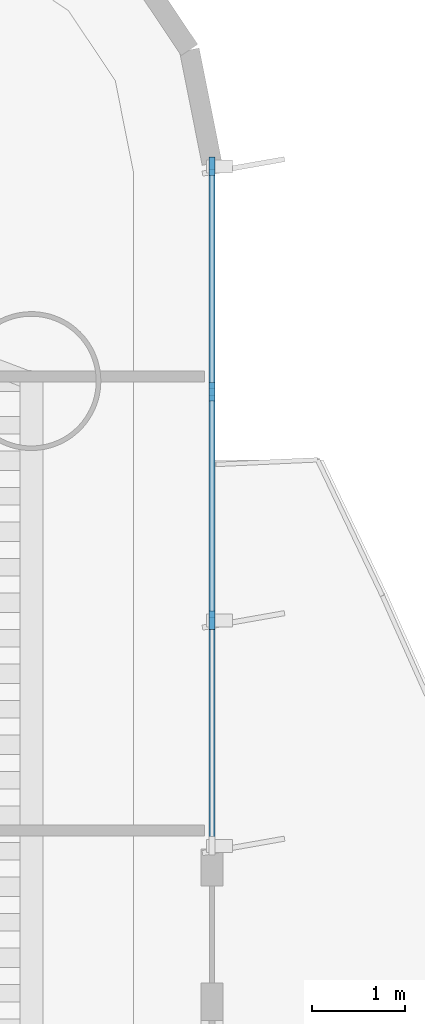
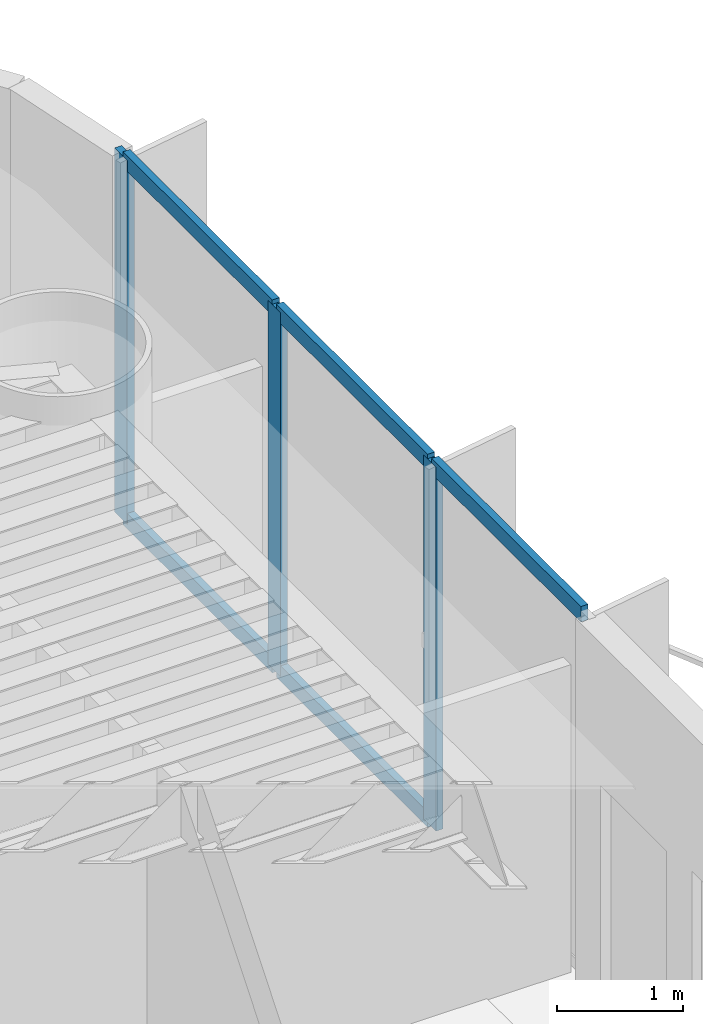
# One storey, part 6 of 19: 8 members, 1 element without a shape of its own.
"""IFC4 building model written with IfcOpenShell, lengths in metres."""

import ifcopenshell
import ifcopenshell.guid

model = None  # the IFC model being written
_history = None  # IfcOwnerHistory: only IFC2X3 demands one
_inside = {}  # id of a spatial element -> (the spatial element, [elements in it])
_under = {}  # id of a project, library or spatial element -> (it, [spatial elements below it])
_declared = {}  # id of a project -> (the project, [libraries it declares])
_typed = {}  # id of a type object -> (the type object, [elements of that type])
_made_of = {}  # id of a material, layer set ... -> (it, [elements and type objects made of it])


def new_model(schema):
    """Start an empty IFC model of exactly this schema.

    Asked for "IFC4X3", IfcOpenShell would pick the latest addendum, in which some entities
    have other attributes; the version numbers below select the first issue.
    IFC2X3 requires an IfcOwnerHistory on every rooted entity: one is made here for all.
    """
    global model, _history
    if schema == "IFC4X3":
        model = ifcopenshell.file(schema_version=(4, 3, 0, 0))
    else:
        model = ifcopenshell.file(schema=schema)
    _inside.clear()
    _under.clear()
    _declared.clear()
    _typed.clear()
    _made_of.clear()
    _history = None
    if model.schema == "IFC2X3":
        org = make("IfcOrganization", Name="unknown")
        user = make(
            "IfcPersonAndOrganization",
            ThePerson=make("IfcPerson", FamilyName="unknown"),
            TheOrganization=org,
        )
        app = make(
            "IfcApplication",
            ApplicationDeveloper=org,
            Version="unknown",
            ApplicationFullName="unknown",
            ApplicationIdentifier="unknown",
        )
        _history = make(
            "IfcOwnerHistory",
            OwningUser=user,
            OwningApplication=app,
            ChangeAction="ADDED",
            CreationDate=0,
        )
    return model


def make(cls, **values):
    """One entity of the class cls with the attributes given. An attribute that is None is left unset."""
    return model.create_entity(
        cls, **{name: value for name, value in values.items() if value is not None}
    )


def rooted(cls, **values):
    """An entity with a GlobalId (a new one), such as an element, a storey or a relation."""
    return make(cls, GlobalId=ifcopenshell.guid.new(), OwnerHistory=_history, **values)


def si_unit(unit_type, name, prefix=None):
    """IfcSIUnit, for example si_unit("LENGTHUNIT", "METRE", prefix="MILLI")."""
    return make("IfcSIUnit", UnitType=unit_type, Prefix=prefix, Name=name)


def assignment(units):
    """IfcUnitAssignment: the units of a project."""
    return None if units is None else make("IfcUnitAssignment", Units=units)


def point(xyz):
    """IfcCartesianPoint."""
    return None if xyz is None else make("IfcCartesianPoint", Coordinates=xyz)


def direction(xyz):
    """IfcDirection."""
    return None if xyz is None else make("IfcDirection", DirectionRatios=xyz)


def frame(location, z_axis=None, x_axis=None):
    """IfcAxis2Placement3D, a coordinate frame: its origin and axes. An axis left out is left unset."""
    return make(
        "IfcAxis2Placement3D",
        Location=point(location),
        Axis=direction(z_axis),
        RefDirection=direction(x_axis),
    )


def frame_2d(location, x_axis=None):
    """IfcAxis2Placement2D, a coordinate frame in the plane: its origin and x axis."""
    return make(
        "IfcAxis2Placement2D", Location=point(location), RefDirection=direction(x_axis)
    )


def origin():
    """The frame at (0, 0, 0) with its axes left unset."""
    return frame((0.0, 0.0, 0.0))


def origin_2d():
    """The frame at (0, 0) in the plane with its x axis left unset."""
    return frame_2d((0.0, 0.0))


def place(relative_to, where):
    """IfcLocalPlacement: puts the frame where relative to a parent placement (None: the world)."""
    return make(
        "IfcLocalPlacement", PlacementRelTo=relative_to, RelativePlacement=where
    )


def context(
    kind, dimensions, precision=None, world=None, true_north=None, identifier=None
):
    """IfcGeometricRepresentationContext, for example the 3D "Model" context."""
    return make(
        "IfcGeometricRepresentationContext",
        ContextIdentifier=identifier,
        ContextType=kind,
        CoordinateSpaceDimension=dimensions,
        Precision=precision,
        WorldCoordinateSystem=world,
        TrueNorth=true_north,
    )


def subcontext(parent, identifier, kind, view, scale=None):
    """IfcGeometricRepresentationSubContext, for example "Body" below "Model"."""
    return make(
        "IfcGeometricRepresentationSubContext",
        ContextIdentifier=identifier,
        ContextType=kind,
        ParentContext=parent,
        TargetScale=scale,
        TargetView=view,
    )


def project(units=None, contexts=None):
    """IfcProject with its units and contexts."""
    return rooted(
        "IfcProject",
        Name="project",
        RepresentationContexts=contexts,
        UnitsInContext=assignment(units),
    )


def spatial(cls, under=None, at=None, **own):
    """A site, building, storey or space (cls), placed at a placement, below another one or the project."""
    s = rooted(cls, ObjectPlacement=at, **own)
    if under is not None:
        _under.setdefault(under.id(), (under, []))[1].append(s)
    return s


def profile(cls, at=None, kind="AREA", **sizes):
    """A parametric profile (cls). Its sizes go by their IFC names, for example OverallWidth=200.0."""
    return make(cls, ProfileType=kind, Position=at, **sizes)


def rectangle(**sizes):
    """IfcRectangleProfileDef."""
    return profile("IfcRectangleProfileDef", **sizes)


def extrude(swept, where, along, depth):
    """IfcExtrudedAreaSolid: the profile swept, set in the frame where, extruded along a direction by depth."""
    return make(
        "IfcExtrudedAreaSolid",
        SweptArea=swept,
        Position=where,
        ExtrudedDirection=direction(along),
        Depth=depth,
    )


def shape(context_of_items, identifier, shape_type, items):
    """IfcShapeRepresentation: the items that make up one representation, for example the "Body"."""
    return make(
        "IfcShapeRepresentation",
        ContextOfItems=context_of_items,
        RepresentationIdentifier=identifier,
        RepresentationType=shape_type,
        Items=items,
    )


def source(mapping_origin, context_of_items, identifier, shape_type, items):
    """IfcRepresentationMap: a shape defined once, which mapped items show again and again."""
    return make(
        "IfcRepresentationMap",
        MappingOrigin=mapping_origin,
        MappedRepresentation=shape(context_of_items, identifier, shape_type, items),
    )


def transform(
    local_origin,
    x_axis=None,
    y_axis=None,
    z_axis=None,
    scale=None,
    scale2=None,
    scale3=None,
    uniform=True,
):
    """IfcCartesianTransformationOperator3D, or its non-uniform kind. x_axis, y_axis, z_axis: its Axis1, 2, 3."""
    if uniform:
        return make(
            "IfcCartesianTransformationOperator3D",
            Axis1=direction(x_axis),
            Axis2=direction(y_axis),
            LocalOrigin=point(local_origin),
            Scale=scale,
            Axis3=direction(z_axis),
        )
    return make(
        "IfcCartesianTransformationOperator3DnonUniform",
        Axis1=direction(x_axis),
        Axis2=direction(y_axis),
        LocalOrigin=point(local_origin),
        Scale=scale,
        Axis3=direction(z_axis),
        Scale2=scale2,
        Scale3=scale3,
    )


def mapped(mapping_source, mapping_target):
    """IfcMappedItem: shows the shape of a source again, moved by a transform."""
    return make(
        "IfcMappedItem", MappingSource=mapping_source, MappingTarget=mapping_target
    )


def material(Name=None, Category=None):
    """IfcMaterial."""
    return make("IfcMaterial", Name=Name, Category=Category)


def layer(
    of_material, thickness, ventilated=None, Name=None, Category=None, Priority=None
):
    """IfcMaterialLayer: one layer of a wall or slab, of a material (None: an air gap)."""
    return make(
        "IfcMaterialLayer",
        Material=of_material,
        LayerThickness=thickness,
        IsVentilated=ventilated,
        Name=Name,
        Category=Category,
        Priority=Priority,
    )


def layer_set(layers, Name=None):
    """IfcMaterialLayerSet."""
    return make("IfcMaterialLayerSet", MaterialLayers=layers, LayerSetName=Name)


def material_profile(
    of_material, cross_section, Name=None, Category=None, Priority=None
):
    """IfcMaterialProfile: a cross section and its material."""
    return make(
        "IfcMaterialProfile",
        Name=Name,
        Material=of_material,
        Profile=cross_section,
        Priority=Priority,
        Category=Category,
    )


def profile_set(profiles, Name=None, composite=None):
    """IfcMaterialProfileSet."""
    return make(
        "IfcMaterialProfileSet",
        Name=Name,
        MaterialProfiles=profiles,
        CompositeProfile=composite,
    )


def made_of(thing, what):
    """Note that an element or type object is made of a material, layer set ...; save() writes the relation."""
    if what is not None:
        _made_of.setdefault(what.id(), (what, []))[1].append(thing)
    return thing


def type_object(cls, material=None, **own):
    """A type object (cls), such as IfcWallType, which elements share."""
    return made_of(rooted(cls, **own), material)


def element(
    cls,
    number,
    at=None,
    inside=None,
    cuts=None,
    type_object=None,
    material=None,
    context=None,
    identifier="Body",
    shape_type=None,
    held_by="IfcProductDefinitionShape",
    body=None,
    shapes=None,
    **own,
):
    """One element of the class cls, such as IfcWall. Its Tag is "e" and its number.

    at: its placement. inside: the storey or other place that contains it. cuts: it is an
    opening in that element (IfcRelVoidsElement). A single representation is given by context,
    identifier, shape_type and body (its items); several are given by shapes. held_by: the class
    of the entity that holds the representations. save() writes the other relations.
    """
    e = rooted(cls, Tag="e%d" % number, ObjectPlacement=at, **own)
    if body is not None:
        shapes = [shape(context, identifier, shape_type, body)]
    if shapes is not None:
        e.Representation = make(held_by, Representations=shapes)
    if inside is not None:
        _inside.setdefault(inside.id(), (inside, []))[1].append(e)
    if cuts is not None:
        rooted(
            "IfcRelVoidsElement", RelatingBuildingElement=cuts, RelatedOpeningElement=e
        )
    if type_object is not None:
        _typed.setdefault(type_object.id(), (type_object, []))[1].append(e)
    return made_of(e, material)


def aggregate(whole, parts):
    """IfcRelAggregates: a whole, such as a stair, and the parts it consists of."""
    return rooted("IfcRelAggregates", RelatingObject=whole, RelatedObjects=parts)


def save(model, path):
    """Write the relations noted so far, then the file.

    IfcRelAggregates (storeys below a building ...), IfcRelContainedInSpatialStructure (elements
    in a storey), IfcRelDefinesByType, IfcRelAssociatesMaterial and IfcRelDeclares: one each for
    every whole, place, type object, material and project.
    """
    for whole, parts in _under.values():
        aggregate(whole, parts)
    for where, things in _inside.values():
        rooted(
            "IfcRelContainedInSpatialStructure",
            RelatedElements=things,
            RelatingStructure=where,
        )
    for kind, things in _typed.values():
        rooted("IfcRelDefinesByType", RelatedObjects=things, RelatingType=kind)
    for what, things in _made_of.values():
        rooted("IfcRelAssociatesMaterial", RelatedObjects=things, RelatingMaterial=what)
    for by, libraries in _declared.values():
        rooted("IfcRelDeclares", RelatingContext=by, RelatedDefinitions=libraries)
    model.write(path)


model = new_model("IFC4")

# Units and contexts
model_context = context("Model", 3, precision=1e-05, world=origin(), true_north=direction((0.0, 1.0)))
body_context = subcontext(model_context, "Body", "Model", "MODEL_VIEW")
ifc_project = project(units=[si_unit("LENGTHUNIT", "METRE"), si_unit("AREAUNIT", "SQUARE_METRE"), si_unit("VOLUMEUNIT", "CUBIC_METRE"), si_unit("PLANEANGLEUNIT", "RADIAN"), si_unit("MASSUNIT", "GRAM", prefix="KILO")], contexts=[model_context])

# Site, building, storey
site_placement = place(None, origin())
site = spatial("IfcSite", under=ifc_project, at=site_placement, CompositionType="ELEMENT")
building_placement = place(site_placement, origin())
building = spatial("IfcBuilding", under=site, at=building_placement, Name="Brelvock Crest Care Tower", CompositionType="ELEMENT")
storey_placement = place(building_placement, frame((0.0, 0.0, 64.800048828125)))
storey = spatial("IfcBuildingStorey", under=building, at=storey_placement, Name="L16", CompositionType="ELEMENT", Elevation=64.800048828125)

# Curtain wall, members
ifc_material_1 = material(Name="Dark Glass Double Glazed Low-E", Category="glass")
ifc_layer = layer(ifc_material_1, 0.195068359375, Name="CWS-2")
ifc_layer_set = layer_set([ifc_layer], Name="Dark Glass Double Glazed Low-E")
curtain_wall_type = type_object("IfcCurtainWallType", Name="CWS-2", PredefinedType="NOTDEFINED", material=ifc_layer_set)
curtain_wall_placement = place(storey_placement, origin())
curtain_wall = element("IfcCurtainWall", 1, at=curtain_wall_placement, inside=storey, type_object=curtain_wall_type, Name="L16 Curtain Wall E03A", PredefinedType="NOTDEFINED")
ifc_material_2 = material(Name="Aluminium 6063-T6", Category="aluminium")
ifc_material_profile_1 = material_profile(ifc_material_2, rectangle(XDim=0.06494140625, YDim=0.199951171875, at=origin_2d()), Name="ALU65x200")
ifc_profile_set_1 = profile_set([ifc_material_profile_1], Name="Aluminium 6063-T6")
member_type_1 = type_object("IfcMemberType", Name="CWM-1", PredefinedType="MULLION", material=ifc_profile_set_1)
shared_shape_1 = source(origin(), body_context, "Body", "SweptSolid", [
    extrude(rectangle(XDim=0.06494140625, YDim=0.199951171875, at=origin_2d()), origin(), (0.0, 0.0, 1.0), 3.530029296875),
])
member_1_placement = place(storey_placement, frame((60.0, 32.767578125, 0.0), z_axis=(0.0, 0.0, 1.0), x_axis=(1.0, 0.0, 0.0)))
member_1 = element("IfcMember", 2, at=member_1_placement, type_object=member_type_1, Name="CW-2 mullion 1", PredefinedType="MULLION", context=body_context, shape_type="MappedRepresentation", body=[
    mapped(shared_shape_1, transform((0.0, 0.0, 0.0), x_axis=(1.0, 0.0, 0.0), y_axis=(0.0, 1.0, 0.0), z_axis=(0.0, 0.0, 1.0), scale=1.0)),
])
member_2_placement = place(storey_placement, frame((60.0, 30.333251953125, 0.0), z_axis=(0.0, 0.0, 1.0), x_axis=(1.0, 0.0, 0.0)))
member_2 = element("IfcMember", 3, at=member_2_placement, type_object=member_type_1, Name="CW-2 mullion 2", PredefinedType="MULLION", context=body_context, shape_type="MappedRepresentation", body=[
    mapped(shared_shape_1, transform((0.0, 0.0, 0.0), x_axis=(1.0, 0.0, 0.0), y_axis=(0.0, 1.0, 0.0), z_axis=(0.0, 0.0, 1.0), scale=1.0)),
])
member_3_placement = place(storey_placement, frame((60.0, 27.86669921875, 0.0), z_axis=(0.0, 0.0, 1.0), x_axis=(1.0, 0.0, 0.0)))
member_3 = element("IfcMember", 4, at=member_3_placement, type_object=member_type_1, Name="CW-2 mullion 3", PredefinedType="MULLION", context=body_context, shape_type="MappedRepresentation", body=[
    mapped(shared_shape_1, transform((0.0, 0.0, 0.0), x_axis=(1.0, 0.0, 0.0), y_axis=(0.0, 1.0, 0.0), z_axis=(0.0, 0.0, 1.0), scale=1.0)),
])
ifc_material_profile_2 = material_profile(ifc_material_2, rectangle(XDim=0.06494140625, YDim=0.14990234375, at=origin_2d()), Name="ALU65x150")
ifc_profile_set_2 = profile_set([ifc_material_profile_2], Name="Aluminium 6063-T6")
member_type_2 = type_object("IfcMemberType", Name="CWT-1", PredefinedType="USERDEFINED", material=ifc_profile_set_2)
shared_shape_2 = source(origin(), body_context, "Body", "SweptSolid", [
    extrude(rectangle(XDim=0.06494140625, YDim=0.14990234375, at=origin_2d()), origin(), (0.0, 0.0, 1.0), 2.369384765625),
])
member_4_placement = place(storey_placement, frame((60.0, 32.735107421875, 0.032470703125), z_axis=(0.0, -1.0, 0.0), x_axis=(1.0, 0.0, 0.0)))
member_4 = element("IfcMember", 5, at=member_4_placement, type_object=member_type_2, Name="CW-2 transom 1.1", ObjectType="TRANSOM", PredefinedType="USERDEFINED", context=body_context, shape_type="MappedRepresentation", body=[
    mapped(shared_shape_2, transform((0.0, 0.0, 0.0), x_axis=(1.0, 0.0, 0.0), y_axis=(0.0, 1.0, 0.0), z_axis=(0.0, 0.0, 1.0), scale=1.0)),
])
member_5_placement = place(storey_placement, frame((60.0, 32.735107421875, 3.49755859375), z_axis=(0.0, -1.0, 0.0), x_axis=(1.0, 0.0, 0.0)))
member_5 = element("IfcMember", 6, at=member_5_placement, type_object=member_type_2, Name="CW-2 transom 1.2", ObjectType="TRANSOM", PredefinedType="USERDEFINED", context=body_context, shape_type="MappedRepresentation", body=[
    mapped(shared_shape_2, transform((0.0, 0.0, 0.0), x_axis=(1.0, 0.0, 0.0), y_axis=(0.0, 1.0, 0.0), z_axis=(0.0, 0.0, 1.0), scale=1.0)),
])
shared_shape_3 = source(origin(), body_context, "Body", "SweptSolid", [
    extrude(rectangle(XDim=0.06494140625, YDim=0.14990234375, at=origin_2d()), origin(), (0.0, 0.0, 1.0), 2.401611328125),
])
member_6_placement = place(storey_placement, frame((60.0, 30.30078125, 0.032470703125), z_axis=(0.0, -1.0, 0.0), x_axis=(1.0, 0.0, 0.0)))
member_6 = element("IfcMember", 7, at=member_6_placement, type_object=member_type_2, Name="CW-2 transom 2.1", ObjectType="TRANSOM", PredefinedType="USERDEFINED", context=body_context, shape_type="MappedRepresentation", body=[
    mapped(shared_shape_3, transform((0.0, 0.0, 0.0), x_axis=(1.0, 0.0, 0.0), y_axis=(0.0, 1.0, 0.0), z_axis=(0.0, 0.0, 1.0), scale=1.0)),
])
member_7_placement = place(storey_placement, frame((60.0, 30.30078125, 3.49755859375), z_axis=(0.0, -1.0, 0.0), x_axis=(1.0, 0.0, 0.0)))
member_7 = element("IfcMember", 8, at=member_7_placement, type_object=member_type_2, Name="CW-2 transom 2.2", ObjectType="TRANSOM", PredefinedType="USERDEFINED", context=body_context, shape_type="MappedRepresentation", body=[
    mapped(shared_shape_3, transform((0.0, 0.0, 0.0), x_axis=(1.0, 0.0, 0.0), y_axis=(0.0, 1.0, 0.0), z_axis=(0.0, 0.0, 1.0), scale=1.0)),
])
shared_shape_4 = source(origin(), body_context, "Body", "SweptSolid", [
    extrude(rectangle(XDim=0.06494140625, YDim=0.14990234375, at=origin_2d()), origin(), (0.0, 0.0, 1.0), 2.369140625),
])
member_8_placement = place(storey_placement, frame((60.0, 27.834228515625, 3.49755859375), z_axis=(0.0, -1.0, 0.0), x_axis=(1.0, 0.0, 0.0)))
member_8 = element("IfcMember", 9, at=member_8_placement, type_object=member_type_2, Name="CW-2 transom 3.2", ObjectType="TRANSOM", PredefinedType="USERDEFINED", context=body_context, shape_type="MappedRepresentation", body=[
    mapped(shared_shape_4, transform((0.0, 0.0, 0.0), x_axis=(1.0, 0.0, 0.0), y_axis=(0.0, 1.0, 0.0), z_axis=(0.0, 0.0, 1.0), scale=1.0)),
])
aggregate(curtain_wall, [member_1, member_2, member_3, member_4, member_5, member_6, member_7, member_8])

save(model, "model.ifc")
